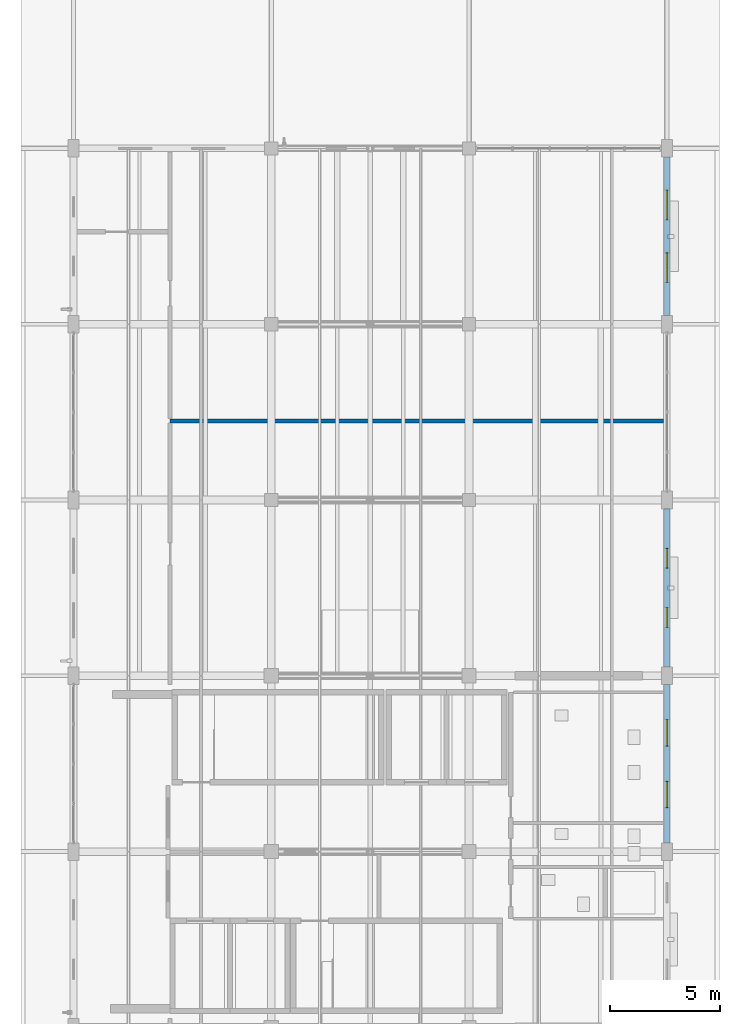
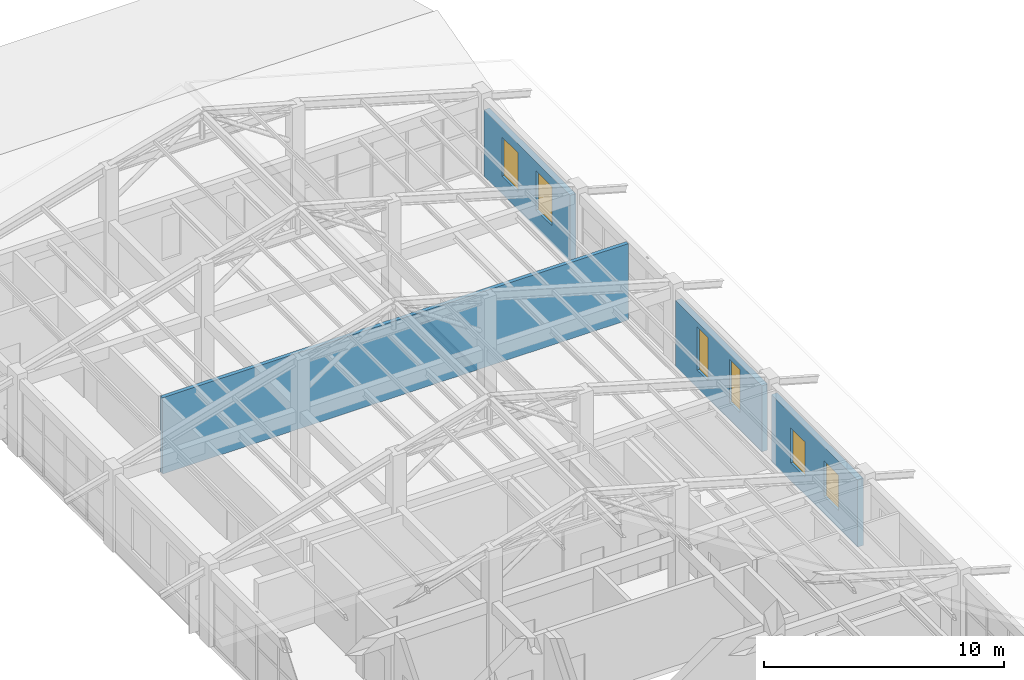
# One storey, part 49 of 58: 6 windows, 4 walls, 6 openings.
"""IFC4 building model written with IfcOpenShell, lengths in metres."""

from ifc_helpers import new_model, si_unit, derived_unit, direction, frame, frame_2d, origin, place, context, subcontext, project, spatial, rectangle, extrude, material, layer, layer_set, type_object, element, fill, save


model = new_model("IFC4")

# Units and contexts
model_context = context("Model", 3, precision=1e-05, world=origin(), true_north=direction((0.0, 1.0)))
body_context = subcontext(model_context, "Body", "Model", "MODEL_VIEW")
ifc_project = project(units=[si_unit("LENGTHUNIT", "METRE"), si_unit("AREAUNIT", "SQUARE_METRE"), si_unit("VOLUMEUNIT", "CUBIC_METRE"), si_unit("PLANEANGLEUNIT", "RADIAN"), si_unit("MASSUNIT", "GRAM", prefix="KILO"), derived_unit("THERMALTRANSMITTANCEUNIT", [(si_unit("MASSUNIT", "GRAM", prefix="KILO"), 1), (si_unit("TIMEUNIT", "SECOND"), -3), (si_unit("THERMODYNAMICTEMPERATUREUNIT", "KELVIN"), -1)])], contexts=[model_context])

# Site, building, storey
site_placement = place(None, origin())
site = spatial("IfcSite", under=ifc_project, at=site_placement, CompositionType="ELEMENT")
building_placement = place(site_placement, origin())
building = spatial("IfcBuilding", under=site, at=building_placement, Name="Zhenchuan Archway Interchange", CompositionType="ELEMENT")
storey_placement = place(building_placement, frame((0.0, 0.0, 22.800048828125)))
storey = spatial("IfcBuildingStorey", under=building, at=storey_placement, Name="L05", CompositionType="ELEMENT", Elevation=22.800048828125)

# Wall, openings, windows
ifc_material_1 = material(Name="Terracotta Masonry", Category="masonry")
ifc_layer_1 = layer(ifc_material_1, 0.280029296875)
ifc_layer_set_1 = layer_set([ifc_layer_1], Name="Terracotta Masonry")
wall_type_1 = type_object("IfcWallType", Name="EW_TERRA_280", PredefinedType="STANDARD", material=ifc_layer_set_1)
wall_1_placement = place(storey_placement, frame((171.0, 87.60205078125, 0.0), z_axis=(0.0, 0.0, 1.0), x_axis=(0.0, -1.0, 0.0)))
wall_1 = element("IfcWall", 1, at=wall_1_placement, inside=storey, type_object=wall_type_1, Name="Exterior wall L05-015", PredefinedType="STANDARD", context=body_context, shape_type="SweptSolid", body=[
    extrude(rectangle(XDim=7.2041015625, YDim=0.280029296875, at=frame_2d((3.60205078125, 0.0))), origin(), (0.0, 0.0, 1.0), 3.369873046875),
])
opening_1_placement = place(wall_1_placement, frame((1.501220703125, 0.0, 0.89990234375)))
opening_1 = element("IfcOpeningElement", 2, at=opening_1_placement, cuts=wall_1, Name="Opening W-06", PredefinedType="OPENING", context=body_context, shape_type="SweptSolid", body=[
    extrude(rectangle(XDim=1.35009765625, YDim=2.0, at=frame_2d((0.675048828125, 1.0))), frame((0.0, 0.15185546875, 0.0), z_axis=(0.0, -1.0, 0.0), x_axis=(1.0, 0.0, 0.0)), (0.0, 0.0, 1.0), 0.303955078125),
])
opening_2_placement = place(wall_1_placement, frame((4.352783203125, 0.0, 0.89990234375)))
opening_2 = element("IfcOpeningElement", 3, at=opening_2_placement, cuts=wall_1, Name="Opening W-06", PredefinedType="OPENING", context=body_context, shape_type="SweptSolid", body=[
    extrude(rectangle(XDim=1.35009765625, YDim=2.0, at=frame_2d((0.675048828125, 1.0))), frame((0.0, 0.15185546875, 0.0), z_axis=(0.0, -1.0, 0.0), x_axis=(1.0, 0.0, 0.0)), (0.0, 0.0, 1.0), 0.303955078125),
])
ifc_material_2 = material(Name="Double Low-E Insulated Glazing", Category="glass")
window_type_1 = type_object("IfcWindowType", Name="WN_MOD_1350x2000", PartitioningType="SINGLE_PANEL", PredefinedType="WINDOW", material=ifc_material_2)
window_1_placement = place(opening_1_placement, origin())
window_1 = element("IfcWindow", 4, at=window_1_placement, inside=storey, type_object=window_type_1, Name="Window L05-0353", OverallHeight=2.0, OverallWidth=1.35009765625, PartitioningType="SINGLE_PANEL", PredefinedType="WINDOW", context=body_context, shape_type="SweptSolid", body=[
    extrude(rectangle(XDim=1.35009765625, YDim=2.0, at=frame_2d((0.675048828125, 1.0))), frame((0.0, 0.030029296875, 0.0), z_axis=(0.0, -1.0, 0.0), x_axis=(1.0, 0.0, 0.0)), (0.0, 0.0, 1.0), 0.06005859375),
])
fill(opening_1, window_1)
window_2_placement = place(opening_2_placement, origin())
window_2 = element("IfcWindow", 5, at=window_2_placement, inside=storey, type_object=window_type_1, Name="Window L05-0354", OverallHeight=2.0, OverallWidth=1.35009765625, PartitioningType="SINGLE_PANEL", PredefinedType="WINDOW", context=body_context, shape_type="SweptSolid", body=[
    extrude(rectangle(XDim=1.35009765625, YDim=2.0, at=frame_2d((0.675048828125, 1.0))), frame((0.0, 0.030029296875, 0.0), z_axis=(0.0, -1.0, 0.0), x_axis=(1.0, 0.0, 0.0)), (0.0, 0.0, 1.0), 0.06005859375),
])
fill(opening_2, window_2)

wall_2_placement = place(storey_placement, frame((171.0, 71.60205078125, 0.0), z_axis=(0.0, 0.0, 1.0), x_axis=(0.0, -1.0, 0.0)))
wall_2 = element("IfcWall", 6, at=wall_2_placement, inside=storey, type_object=wall_type_1, Name="Exterior wall L05-017", PredefinedType="STANDARD", context=body_context, shape_type="SweptSolid", body=[
    extrude(rectangle(XDim=7.2041015625, YDim=0.280029296875, at=frame_2d((3.60205078125, 0.0))), origin(), (0.0, 0.0, 1.0), 3.369873046875),
])
opening_3_placement = place(wall_2_placement, frame((1.80126953125, 0.0, 0.89990234375)))
opening_3 = element("IfcOpeningElement", 7, at=opening_3_placement, cuts=wall_2, Name="Opening W-12", PredefinedType="OPENING", context=body_context, shape_type="SweptSolid", body=[
    extrude(rectangle(XDim=0.89990234375, YDim=2.199951171875, at=frame_2d((0.449951171875, 1.10009765625))), frame((0.0, 0.15185546875, 0.0), z_axis=(0.0, -1.0, 0.0), x_axis=(1.0, 0.0, 0.0)), (0.0, 0.0, 1.0), 0.303955078125),
])
opening_4_placement = place(wall_2_placement, frame((4.502685546875, 0.0, 0.89990234375)))
opening_4 = element("IfcOpeningElement", 8, at=opening_4_placement, cuts=wall_2, Name="Opening W-12", PredefinedType="OPENING", context=body_context, shape_type="SweptSolid", body=[
    extrude(rectangle(XDim=0.89990234375, YDim=2.199951171875, at=frame_2d((0.449951171875, 1.10009765625))), frame((0.0, 0.15185546875, 0.0), z_axis=(0.0, -1.0, 0.0), x_axis=(1.0, 0.0, 0.0)), (0.0, 0.0, 1.0), 0.303955078125),
])
window_type_2 = type_object("IfcWindowType", Name="WN_SLOT_900x2200", PartitioningType="SINGLE_PANEL", PredefinedType="WINDOW", material=ifc_material_2)
window_3_placement = place(opening_3_placement, origin())
window_3 = element("IfcWindow", 9, at=window_3_placement, inside=storey, type_object=window_type_2, Name="Window L05-0355", OverallHeight=2.199951171875, OverallWidth=0.89990234375, PartitioningType="SINGLE_PANEL", PredefinedType="WINDOW", context=body_context, shape_type="SweptSolid", body=[
    extrude(rectangle(XDim=0.89990234375, YDim=2.199951171875, at=frame_2d((0.449951171875, 1.10009765625))), frame((0.0, 0.030029296875, 0.0), z_axis=(0.0, -1.0, 0.0), x_axis=(1.0, 0.0, 0.0)), (0.0, 0.0, 1.0), 0.06005859375),
])
fill(opening_3, window_3)
window_4_placement = place(opening_4_placement, origin())
window_4 = element("IfcWindow", 10, at=window_4_placement, inside=storey, type_object=window_type_2, Name="Window L05-0356", OverallHeight=2.199951171875, OverallWidth=0.89990234375, PartitioningType="SINGLE_PANEL", PredefinedType="WINDOW", context=body_context, shape_type="SweptSolid", body=[
    extrude(rectangle(XDim=0.89990234375, YDim=2.199951171875, at=frame_2d((0.449951171875, 1.10009765625))), frame((0.0, 0.030029296875, 0.0), z_axis=(0.0, -1.0, 0.0), x_axis=(1.0, 0.0, 0.0)), (0.0, 0.0, 1.0), 0.06005859375),
])
fill(opening_4, window_4)

wall_3_placement = place(storey_placement, frame((171.0, 63.60205078125, 0.0), z_axis=(0.0, 0.0, 1.0), x_axis=(0.0, -1.0, 0.0)))
wall_3 = element("IfcWall", 11, at=wall_3_placement, inside=storey, type_object=wall_type_1, Name="Exterior wall L05-018", PredefinedType="STANDARD", context=body_context, shape_type="SweptSolid", body=[
    extrude(rectangle(XDim=7.2041015625, YDim=0.280029296875, at=frame_2d((3.60205078125, 0.0))), origin(), (0.0, 0.0, 1.0), 3.419921875),
])
opening_5_placement = place(wall_3_placement, frame((1.601318359375, 0.0, 0.89990234375)))
opening_5 = element("IfcOpeningElement", 12, at=opening_5_placement, cuts=wall_3, Name="Opening W-07", PredefinedType="OPENING", context=body_context, shape_type="SweptSolid", body=[
    extrude(rectangle(XDim=1.199951171875, YDim=1.800048828125, at=frame_2d((0.60009765625, 0.89990234375))), frame((0.0, 0.15185546875, 0.0), z_axis=(0.0, -1.0, 0.0), x_axis=(1.0, 0.0, 0.0)), (0.0, 0.0, 1.0), 0.303955078125),
])
opening_6_placement = place(wall_3_placement, frame((4.402587890625, 0.0, 0.89990234375)))
opening_6 = element("IfcOpeningElement", 13, at=opening_6_placement, cuts=wall_3, Name="Opening W-07", PredefinedType="OPENING", context=body_context, shape_type="SweptSolid", body=[
    extrude(rectangle(XDim=1.199951171875, YDim=1.800048828125, at=frame_2d((0.60009765625, 0.89990234375))), frame((0.0, 0.15185546875, 0.0), z_axis=(0.0, -1.0, 0.0), x_axis=(1.0, 0.0, 0.0)), (0.0, 0.0, 1.0), 0.303955078125),
])
window_type_3 = type_object("IfcWindowType", Name="WN_MOD_1200x1800", PartitioningType="SINGLE_PANEL", PredefinedType="WINDOW", material=ifc_material_2)
window_5_placement = place(opening_5_placement, origin())
window_5 = element("IfcWindow", 14, at=window_5_placement, inside=storey, type_object=window_type_3, Name="Window L05-0357", OverallHeight=1.800048828125, OverallWidth=1.199951171875, PartitioningType="SINGLE_PANEL", PredefinedType="WINDOW", context=body_context, shape_type="SweptSolid", body=[
    extrude(rectangle(XDim=1.199951171875, YDim=1.800048828125, at=frame_2d((0.60009765625, 0.89990234375))), frame((0.0, 0.030029296875, 0.0), z_axis=(0.0, -1.0, 0.0), x_axis=(1.0, 0.0, 0.0)), (0.0, 0.0, 1.0), 0.06005859375),
])
fill(opening_5, window_5)
window_6_placement = place(opening_6_placement, origin())
window_6 = element("IfcWindow", 15, at=window_6_placement, inside=storey, type_object=window_type_3, Name="Window L05-0358", OverallHeight=1.800048828125, OverallWidth=1.199951171875, PartitioningType="SINGLE_PANEL", PredefinedType="WINDOW", context=body_context, shape_type="SweptSolid", body=[
    extrude(rectangle(XDim=1.199951171875, YDim=1.800048828125, at=frame_2d((0.60009765625, 0.89990234375))), frame((0.0, 0.030029296875, 0.0), z_axis=(0.0, -1.0, 0.0), x_axis=(1.0, 0.0, 0.0)), (0.0, 0.0, 1.0), 0.06005859375),
])
fill(opening_6, window_6)

# Wall
ifc_material_3 = material(Name="Concrete Block Masonry", Category="masonry")
ifc_layer_2 = layer(ifc_material_3, 0.179931640625)
ifc_layer_set_2 = layer_set([ifc_layer_2], Name="Concrete Block Masonry")
wall_type_2 = type_object("IfcWallType", Name="WL_PART_180", PredefinedType="STANDARD", material=ifc_layer_set_2)
wall_4_placement = place(storey_placement, frame((148.39990234375, 75.60009765625, 0.0), z_axis=(0.0, 0.0, 1.0), x_axis=(1.0, 0.0, 0.0)))
element("IfcWall", 16, at=wall_4_placement, inside=storey, type_object=wall_type_2, Name="Inter-Agency Rail Coordination Room N partition (L05)", PredefinedType="STANDARD", context=body_context, shape_type="SweptSolid", body=[
    extrude(rectangle(XDim=22.445068359375, YDim=0.179931640625, at=frame_2d((11.22265625, 0.0))), origin(), (0.0, 0.0, 1.0), 3.889892578125),
])

save(model, "model.ifc")
